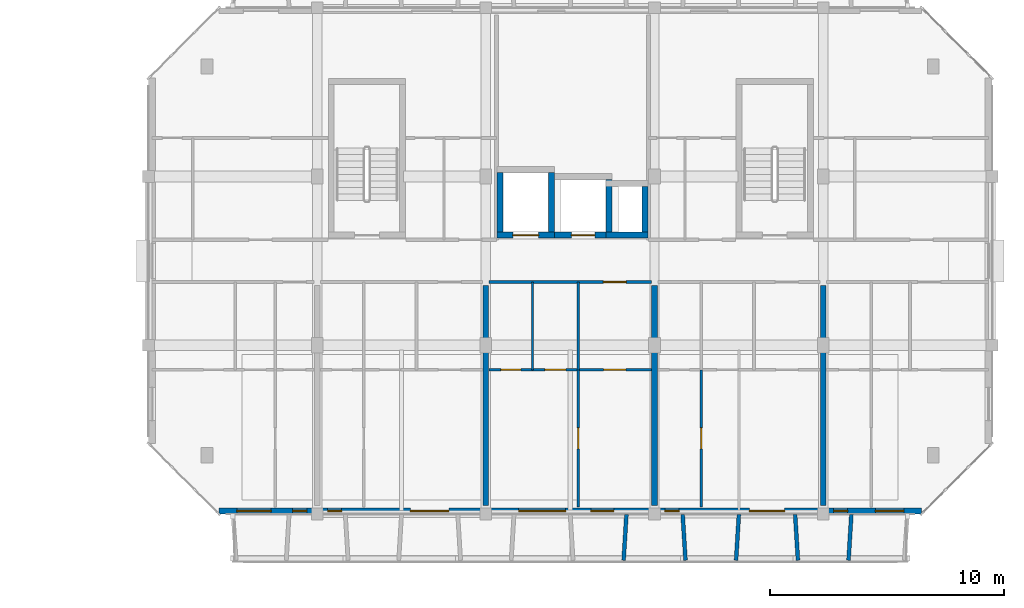
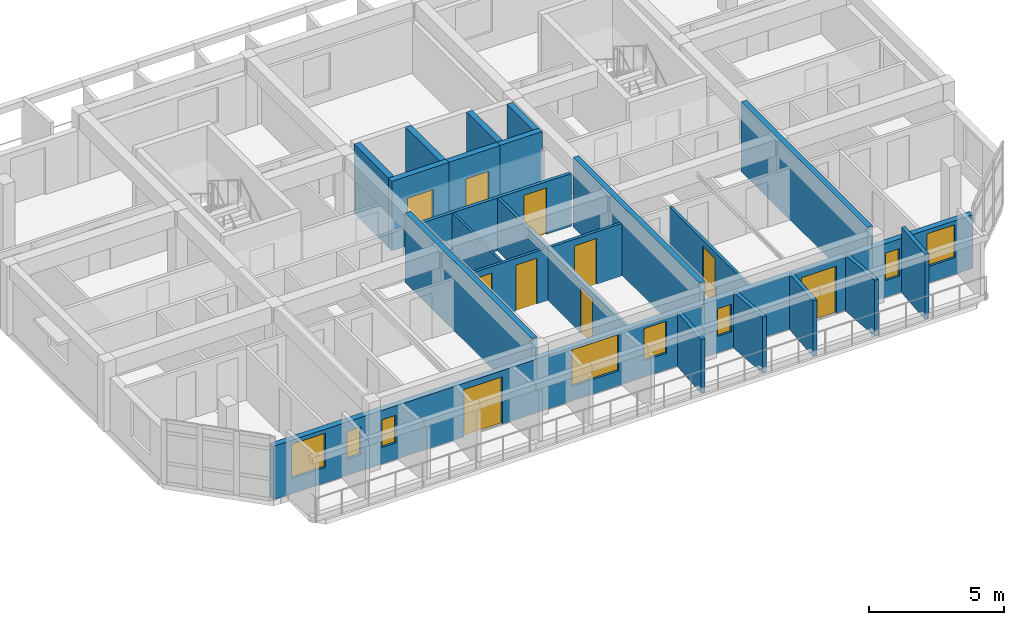
# One storey, part 24 of 45: 22 walls, 10 doors, 8 windows, 18 openings.
"""IFC4 building model written with IfcOpenShell, lengths in metres."""

from ifc_helpers import new_model, si_unit, direction, frame, frame_2d, origin, place, context, subcontext, project, spatial, rectangle, extrude, material, layer, layer_set, type_object, element, fill, save


model = new_model("IFC4")

# Units and contexts
model_context = context("Model", 3, precision=1e-05, world=origin(), true_north=direction((0.0, 1.0)))
body_context = subcontext(model_context, "Body", "Model", "MODEL_VIEW")
ifc_project = project(units=[si_unit("LENGTHUNIT", "METRE"), si_unit("AREAUNIT", "SQUARE_METRE"), si_unit("VOLUMEUNIT", "CUBIC_METRE"), si_unit("PLANEANGLEUNIT", "RADIAN"), si_unit("MASSUNIT", "GRAM", prefix="KILO")], contexts=[model_context])

# Site, building, storey
site_placement = place(None, origin())
site = spatial("IfcSite", under=ifc_project, at=site_placement, CompositionType="ELEMENT")
building_placement = place(site_placement, origin())
building = spatial("IfcBuilding", under=site, at=building_placement, Name="Ochrevale Crest", CompositionType="ELEMENT")
storey_placement = place(building_placement, frame((0.0, 0.0, 18.14990234375)))
storey = spatial("IfcBuildingStorey", under=building, at=storey_placement, Name="L05", CompositionType="ELEMENT", Elevation=18.14990234375)

# Wall, opening, door
ifc_material_1 = material(Name="Gypsum plasterboard", Category="gypsum")
ifc_layer_1 = layer(ifc_material_1, 0.139892578125)
ifc_layer_set_1 = layer_set([ifc_layer_1], Name="Gypsum plasterboard")
wall_type_1 = type_object("IfcWallType", Name="WL-COR-140", PredefinedType="PARTITIONING", material=ifc_layer_set_1)
wall_1_placement = place(storey_placement, frame((144.139892578125, 24.300048828125, 0.0), z_axis=(0.0, 0.0, 1.0), x_axis=(1.0, 0.0, 0.0)))
wall_1 = element("IfcWall", 1, at=wall_1_placement, inside=storey, type_object=wall_type_1, Name="Apartment C-L05-U3 corridor wall", PredefinedType="PARTITIONING", context=body_context, shape_type="SweptSolid", body=[
    extrude(rectangle(XDim=6.920166015625, YDim=0.139892578125, at=frame_2d((3.4599609375, 0.0))), origin(), (0.0, 0.0, 1.0), 2.380126953125),
])
opening_1_placement = place(wall_1_placement, frame((4.8701171875, 0.0, 0.0)))
opening_1 = element("IfcOpeningElement", 2, at=opening_1_placement, cuts=wall_1, Name="Opening FD01", PredefinedType="OPENING", context=body_context, shape_type="SweptSolid", body=[
    extrude(rectangle(XDim=0.97998046875, YDim=2.10009765625, at=frame_2d((0.489990234375, 1.050048828125))), frame((0.0, 0.080078125, 0.0), z_axis=(0.0, -1.0, 0.0), x_axis=(1.0, 0.0, 0.0)), (0.0, 0.0, 1.0), 0.159912109375),
])
ifc_material_2 = material(Name="Solid-core FSC hardwood", Category="wood")
door_type_1 = type_object("IfcDoorType", Name="DR-APT-950", OperationType="NOTDEFINED", PredefinedType="DOOR", material=ifc_material_2)
door_1_placement = place(opening_1_placement, origin())
door_1 = element("IfcDoor", 3, at=door_1_placement, inside=storey, type_object=door_type_1, Name="Apartment C-L05-U3 entrance door", OperationType="SINGLE_SWING_LEFT", OverallHeight=2.10009765625, OverallWidth=0.97998046875, PredefinedType="DOOR", context=body_context, shape_type="SweptSolid", body=[
    extrude(rectangle(XDim=0.97998046875, YDim=2.10009765625, at=frame_2d((0.489990234375, 1.050048828125))), frame((0.0, 0.02490234375, 0.0), z_axis=(0.0, -1.0, 0.0), x_axis=(1.0, 0.0, 0.0)), (0.0, 0.0, 1.0), 0.050048828125),
])
fill(opening_1, door_1)

ifc_material_3 = material(Name="Precast concrete C50/60", Category="concrete")
ifc_layer_2 = layer(ifc_material_3, 0.2548828125)
ifc_layer_set_2 = layer_set([ifc_layer_2], Name="Precast concrete C50/60")
wall_type_2 = type_object("IfcWallType", Name="WL-CORE-255", PredefinedType="SHEAR", material=ifc_layer_set_2)
wall_2_placement = place(storey_placement, frame((144.472412109375, 26.300048828125, 0.0), z_axis=(0.0, 0.0, 1.0), x_axis=(1.0, 0.0, 0.0)))
wall_2 = element("IfcWall", 4, at=wall_2_placement, inside=storey, type_object=wall_type_2, Name="Block C L05 Lift 1 precast shaft shear wall S", PredefinedType="SHEAR", context=body_context, shape_type="SweptSolid", body=[
    extrude(rectangle(XDim=2.455078125, YDim=0.2548828125, at=frame_2d((1.2275390625, 0.0))), origin(), (0.0, 0.0, 1.0), 3.150146484375),
])
opening_2_placement = place(wall_2_placement, frame((0.677490234375, 0.0, 0.0)))
opening_2 = element("IfcOpeningElement", 5, at=opening_2_placement, cuts=wall_2, Name="Opening LD01", PredefinedType="OPENING", context=body_context, shape_type="SweptSolid", body=[
    extrude(rectangle(XDim=1.10009765625, YDim=2.14990234375, at=frame_2d((0.550048828125, 1.074951171875))), frame((0.0, 0.137451171875, 0.0), z_axis=(0.0, -1.0, 0.0), x_axis=(1.0, 0.0, 0.0)), (0.0, 0.0, 1.0), 0.27490234375),
])
door_type_2 = type_object("IfcDoorType", Name="DR-LIFT-1100", OperationType="NOTDEFINED", PredefinedType="DOOR", material=ifc_material_2)
door_2_placement = place(opening_2_placement, origin())
door_2 = element("IfcDoor", 6, at=door_2_placement, inside=storey, type_object=door_type_2, Name="Lift LF-C1 L05 sliding landing door", OperationType="SLIDING_TO_LEFT", OverallHeight=2.14990234375, OverallWidth=1.10009765625, PredefinedType="DOOR", context=body_context, shape_type="SweptSolid", body=[
    extrude(rectangle(XDim=1.10009765625, YDim=2.14990234375, at=frame_2d((0.550048828125, 1.074951171875))), frame((0.0, 0.02490234375, 0.0), z_axis=(0.0, -1.0, 0.0), x_axis=(1.0, 0.0, 0.0)), (0.0, 0.0, 1.0), 0.050048828125),
])
fill(opening_2, door_2)

# Walls
for number, where, z_axis, x_axis, name in (
    (7, (144.60009765625, 26.427490234375, 0.0), (0.0, 0.0, 1.0), (0.0, 1.0, 0.0), "Block C L05 Lift 1 precast shaft shear wall W"),
    (8, (146.800048828125, 26.427490234375, 0.0), (0.0, 0.0, 1.0), (0.0, 1.0, 0.0), "Block C L05 Lift 1 precast shaft shear wall E"),
):
    element("IfcWall", number, at=place(storey_placement, frame(where, z_axis=z_axis, x_axis=x_axis)), inside=storey, type_object=wall_type_2, Name=name, PredefinedType="SHEAR", context=body_context, shape_type="SweptSolid", body=[
        extrude(rectangle(XDim=2.544921875, YDim=0.2548828125, at=frame_2d((1.2724609375, 0.0))), origin(), (0.0, 0.0, 1.0), 3.150146484375),
    ])

# Wall, opening, door
wall_3_placement = place(storey_placement, frame((146.922607421875, 26.300048828125, 0.0), z_axis=(0.0, 0.0, 1.0), x_axis=(1.0, 0.0, 0.0)))
wall_3 = element("IfcWall", 9, at=wall_3_placement, inside=storey, type_object=wall_type_2, Name="Block C L05 Lift 2 precast shaft shear wall S", PredefinedType="SHEAR", context=body_context, shape_type="SweptSolid", body=[
    extrude(rectangle(XDim=2.454833984375, YDim=0.2548828125, at=frame_2d((1.2275390625, 0.0))), origin(), (0.0, 0.0, 1.0), 3.150146484375),
])
opening_3_placement = place(wall_3_placement, frame((0.7275390625, 0.0, 0.0)))
opening_3 = element("IfcOpeningElement", 10, at=opening_3_placement, cuts=wall_3, Name="Opening LD02", PredefinedType="OPENING", context=body_context, shape_type="SweptSolid", body=[
    extrude(rectangle(XDim=1.0, YDim=2.14990234375, at=frame_2d((0.5, 1.074951171875))), frame((0.0, 0.137451171875, 0.0), z_axis=(0.0, -1.0, 0.0), x_axis=(1.0, 0.0, 0.0)), (0.0, 0.0, 1.0), 0.27490234375),
])
door_type_3 = type_object("IfcDoorType", Name="DR-LIFT-1000", OperationType="NOTDEFINED", PredefinedType="DOOR", material=ifc_material_2)
door_3_placement = place(opening_3_placement, origin())
door_3 = element("IfcDoor", 11, at=door_3_placement, inside=storey, type_object=door_type_3, Name="Lift LP-C2 L05 sliding landing door", OperationType="SLIDING_TO_RIGHT", OverallHeight=2.14990234375, OverallWidth=1.0, PredefinedType="DOOR", context=body_context, shape_type="SweptSolid", body=[
    extrude(rectangle(XDim=1.0, YDim=2.14990234375, at=frame_2d((0.5, 1.074951171875))), frame((0.0, 0.02490234375, 0.0), z_axis=(0.0, -1.0, 0.0), x_axis=(1.0, 0.0, 0.0)), (0.0, 0.0, 1.0), 0.050048828125),
])
fill(opening_3, door_3)

# Walls
wall_4_placement = place(storey_placement, frame((149.25, 26.427490234375, 0.0), z_axis=(0.0, 0.0, 1.0), x_axis=(0.0, 1.0, 0.0)))
element("IfcWall", 12, at=wall_4_placement, inside=storey, type_object=wall_type_2, Name="Block C L05 Lift 2 precast shaft shear wall E", PredefinedType="SHEAR", context=body_context, shape_type="SweptSolid", body=[
    extrude(rectangle(XDim=2.2451171875, YDim=0.2548828125, at=frame_2d((1.12255859375, 0.0))), origin(), (0.0, 0.0, 1.0), 3.150146484375),
])
wall_5_placement = place(storey_placement, frame((149.12255859375, 26.300048828125, 0.0), z_axis=(0.0, 0.0, 1.0), x_axis=(1.0, 0.0, 0.0)))
element("IfcWall", 13, at=wall_5_placement, inside=storey, type_object=wall_type_2, Name="Block C L05 services riser shaft core wall S", PredefinedType="SHEAR", context=body_context, shape_type="SweptSolid", body=[
    extrude(rectangle(XDim=1.804931640625, YDim=0.2548828125, at=frame_2d((0.90234375, 0.0))), origin(), (0.0, 0.0, 1.0), 3.150146484375),
])
wall_6_placement = place(storey_placement, frame((150.800048828125, 26.427490234375, 0.0), z_axis=(0.0, 0.0, 1.0), x_axis=(0.0, 1.0, 0.0)))
element("IfcWall", 14, at=wall_6_placement, inside=storey, type_object=wall_type_2, Name="Block C L05 services riser shaft core wall E", PredefinedType="SHEAR", context=body_context, shape_type="SweptSolid", body=[
    extrude(rectangle(XDim=1.945068359375, YDim=0.2548828125, at=frame_2d((0.97265625, 0.0))), origin(), (0.0, 0.0, 1.0), 3.150146484375),
])

# Wall, openings, doors, windows
ifc_material_4 = material(Name="Precast concrete C40/50", Category="concrete")
ifc_layer_3 = layer(ifc_material_4, 0.25)
ifc_layer_set_3 = layer_set([ifc_layer_3], Name="Precast concrete C40/50")
wall_type_3 = type_object("IfcWallType", Name="WL-EXT-GOLD-250", PredefinedType="SOLIDWALL", material=ifc_layer_set_3)
wall_7_placement = place(storey_placement, frame((132.60009765625, 14.52490234375, 0.0), z_axis=(0.0, 0.0, 1.0), x_axis=(1.0, 0.0, 0.0)))
wall_7 = element("IfcWall", 15, at=wall_7_placement, inside=storey, type_object=wall_type_3, Name="Block C L05 external facade wall E1", PredefinedType="SOLIDWALL", context=body_context, shape_type="SweptSolid", body=[
    extrude(rectangle(XDim=30.0, YDim=0.25, at=frame_2d((15.0, 0.0))), origin(), (0.0, 0.0, 1.0), 2.43017578125),
])
opening_4_placement = place(wall_7_placement, frame((9.824951171875, 0.0, 0.0), z_axis=(0.0, 0.0, 1.0), x_axis=(-1.0, 0.0, 0.0)))
opening_4 = element("IfcOpeningElement", 16, at=opening_4_placement, cuts=wall_7, Name="Opening BD02", PredefinedType="OPENING", context=body_context, shape_type="SweptSolid", body=[
    extrude(rectangle(XDim=1.64990234375, YDim=2.14990234375, at=frame_2d((0.824951171875, 1.074951171875))), frame((0.0, 0.135009765625, 0.0), z_axis=(0.0, -1.0, 0.0), x_axis=(1.0, 0.0, 0.0)), (0.0, 0.0, 1.0), 0.27001953125),
])
opening_5_placement = place(wall_7_placement, frame((24.14990234375, 0.0, 0.0), z_axis=(0.0, 0.0, 1.0), x_axis=(-1.0, 0.0, 0.0)))
opening_5 = element("IfcOpeningElement", 17, at=opening_5_placement, cuts=wall_7, Name="Opening BD01", PredefinedType="OPENING", context=body_context, shape_type="SweptSolid", body=[
    extrude(rectangle(XDim=1.5, YDim=2.14990234375, at=frame_2d((0.75, 1.074951171875))), frame((0.0, 0.135009765625, 0.0), z_axis=(0.0, -1.0, 0.0), x_axis=(1.0, 0.0, 0.0)), (0.0, 0.0, 1.0), 0.27001953125),
])
opening_6_placement = place(wall_7_placement, frame((0.77001953125, 0.0, 0.699951171875)))
opening_6 = element("IfcOpeningElement", 18, at=opening_6_placement, cuts=wall_7, Name="Opening W08", PredefinedType="OPENING", context=body_context, shape_type="SweptSolid", body=[
    extrude(rectangle(XDim=1.4599609375, YDim=1.550048828125, at=frame_2d((0.72998046875, 0.77490234375))), frame((0.0, 0.135009765625, 0.0), z_axis=(0.0, -1.0, 0.0), x_axis=(1.0, 0.0, 0.0)), (0.0, 0.0, 1.0), 0.27001953125),
])
opening_7_placement = place(wall_7_placement, frame((3.155029296875, 0.0, 0.75)))
opening_7 = element("IfcOpeningElement", 19, at=opening_7_placement, cuts=wall_7, Name="Opening W01", PredefinedType="OPENING", context=body_context, shape_type="SweptSolid", body=[
    extrude(rectangle(XDim=0.60009765625, YDim=1.25, at=frame_2d((0.300048828125, 0.625))), frame((0.0, 0.135009765625, 0.0), z_axis=(0.0, -1.0, 0.0), x_axis=(1.0, 0.0, 0.0)), (0.0, 0.0, 1.0), 0.27001953125),
])
opening_8_placement = place(wall_7_placement, frame((4.64501953125, 0.0, 0.75)))
opening_8 = element("IfcOpeningElement", 20, at=opening_8_placement, cuts=wall_7, Name="Opening W01", PredefinedType="OPENING", context=body_context, shape_type="SweptSolid", body=[
    extrude(rectangle(XDim=0.60009765625, YDim=1.25, at=frame_2d((0.300048828125, 0.625))), frame((0.0, 0.135009765625, 0.0), z_axis=(0.0, -1.0, 0.0), x_axis=(1.0, 0.0, 0.0)), (0.0, 0.0, 1.0), 0.27001953125),
])
opening_9_placement = place(wall_7_placement, frame((12.800048828125, 0.0, 0.669921875)))
opening_9 = element("IfcOpeningElement", 21, at=opening_9_placement, cuts=wall_7, Name="Opening W12", PredefinedType="OPENING", context=body_context, shape_type="SweptSolid", body=[
    extrude(rectangle(XDim=2.0, YDim=1.64990234375, at=frame_2d((1.0, 0.824951171875))), frame((0.0, 0.135009765625, 0.0), z_axis=(0.0, -1.0, 0.0), x_axis=(1.0, 0.0, 0.0)), (0.0, 0.0, 1.0), 0.27001953125),
])
opening_10_placement = place(wall_7_placement, frame((15.885009765625, 0.0, 0.75)))
opening_10 = element("IfcOpeningElement", 22, at=opening_10_placement, cuts=wall_7, Name="Opening W04", PredefinedType="OPENING", context=body_context, shape_type="SweptSolid", body=[
    extrude(rectangle(XDim=0.97998046875, YDim=1.449951171875, at=frame_2d((0.489990234375, 0.72509765625))), frame((0.0, 0.135009765625, 0.0), z_axis=(0.0, -1.0, 0.0), x_axis=(1.0, 0.0, 0.0)), (0.0, 0.0, 1.0), 0.27001953125),
])
opening_11_placement = place(wall_7_placement, frame((19.044921875, 0.0, 0.75)))
opening_11 = element("IfcOpeningElement", 23, at=opening_11_placement, cuts=wall_7, Name="Opening W01", PredefinedType="OPENING", context=body_context, shape_type="SweptSolid", body=[
    extrude(rectangle(XDim=0.60009765625, YDim=1.25, at=frame_2d((0.300048828125, 0.625))), frame((0.0, 0.135009765625, 0.0), z_axis=(0.0, -1.0, 0.0), x_axis=(1.0, 0.0, 0.0)), (0.0, 0.0, 1.0), 0.27001953125),
])
opening_12_placement = place(wall_7_placement, frame((26.2451171875, 0.0, 0.75)))
opening_12 = element("IfcOpeningElement", 24, at=opening_12_placement, cuts=wall_7, Name="Opening W01", PredefinedType="OPENING", context=body_context, shape_type="SweptSolid", body=[
    extrude(rectangle(XDim=0.60009765625, YDim=1.25, at=frame_2d((0.300048828125, 0.625))), frame((0.0, 0.135009765625, 0.0), z_axis=(0.0, -1.0, 0.0), x_axis=(1.0, 0.0, 0.0)), (0.0, 0.0, 1.0), 0.27001953125),
])
opening_13_placement = place(wall_7_placement, frame((28.02001953125, 0.0, 0.75)))
opening_13 = element("IfcOpeningElement", 25, at=opening_13_placement, cuts=wall_7, Name="Opening W06", PredefinedType="OPENING", context=body_context, shape_type="SweptSolid", body=[
    extrude(rectangle(XDim=1.219970703125, YDim=1.5, at=frame_2d((0.60986328125, 0.75))), frame((0.0, 0.135009765625, 0.0), z_axis=(0.0, -1.0, 0.0), x_axis=(1.0, 0.0, 0.0)), (0.0, 0.0, 1.0), 0.27001953125),
])
ifc_material_5 = material(Name="Anodised aluminium 6063-T5 and toughened glass", Category="aluminium")
door_type_4 = type_object("IfcDoorType", Name="DR-BAL-1500", OperationType="NOTDEFINED", PredefinedType="DOOR", material=ifc_material_5)
door_4_placement = place(opening_5_placement, origin())
door_4 = element("IfcDoor", 26, at=door_4_placement, inside=storey, type_object=door_type_4, Name="Block C L05 balcony door S4", OperationType="SINGLE_SWING_LEFT", OverallHeight=2.14990234375, OverallWidth=1.5, PredefinedType="DOOR", context=body_context, shape_type="SweptSolid", body=[
    extrude(rectangle(XDim=1.5, YDim=2.14990234375, at=frame_2d((0.75, 1.074951171875))), frame((0.0, 0.02490234375, 0.0), z_axis=(0.0, -1.0, 0.0), x_axis=(1.0, 0.0, 0.0)), (0.0, 0.0, 1.0), 0.050048828125),
])
fill(opening_5, door_4)
door_type_5 = type_object("IfcDoorType", Name="DR-BAL-1650", OperationType="NOTDEFINED", PredefinedType="DOOR", material=ifc_material_5)
door_5_placement = place(opening_4_placement, origin())
door_5 = element("IfcDoor", 27, at=door_5_placement, inside=storey, type_object=door_type_5, Name="Block C L05 balcony door S2", OperationType="SINGLE_SWING_RIGHT", OverallHeight=2.14990234375, OverallWidth=1.64990234375, PredefinedType="DOOR", context=body_context, shape_type="SweptSolid", body=[
    extrude(rectangle(XDim=1.64990234375, YDim=2.14990234375, at=frame_2d((0.824951171875, 1.074951171875))), frame((0.0, 0.02490234375, 0.0), z_axis=(0.0, -1.0, 0.0), x_axis=(1.0, 0.0, 0.0)), (0.0, 0.0, 1.0), 0.050048828125),
])
fill(opening_4, door_5)
ifc_material_6 = material(Name="Anodised aluminium 6063-T5 and low-E double glazing", Category="aluminium")
window_type_1 = type_object("IfcWindowType", Name="WIN-W01", PartitioningType="SINGLE_PANEL", PredefinedType="WINDOW", material=ifc_material_6)
window_1_placement = place(opening_7_placement, origin())
window_1 = element("IfcWindow", 28, at=window_1_placement, inside=storey, type_object=window_type_1, Name="Block C L05 Apartment C-L05-U1 One Bedroom Living Room window", OverallHeight=1.25, OverallWidth=0.60009765625, PartitioningType="SINGLE_PANEL", PredefinedType="WINDOW", context=body_context, shape_type="SweptSolid", body=[
    extrude(rectangle(XDim=0.60009765625, YDim=1.25, at=frame_2d((0.300048828125, 0.625))), frame((0.0, 0.030029296875, 0.0), z_axis=(0.0, -1.0, 0.0), x_axis=(1.0, 0.0, 0.0)), (0.0, 0.0, 1.0), 0.06005859375),
])
fill(opening_7, window_1)
window_2_placement = place(opening_8_placement, origin())
window_2 = element("IfcWindow", 29, at=window_2_placement, inside=storey, type_object=window_type_1, Name="Block C L05 Apartment C-L05-U2 Twin Bedroom window", OverallHeight=1.25, OverallWidth=0.60009765625, PartitioningType="SINGLE_PANEL", PredefinedType="WINDOW", context=body_context, shape_type="SweptSolid", body=[
    extrude(rectangle(XDim=0.60009765625, YDim=1.25, at=frame_2d((0.300048828125, 0.625))), frame((0.0, 0.030029296875, 0.0), z_axis=(0.0, -1.0, 0.0), x_axis=(1.0, 0.0, 0.0)), (0.0, 0.0, 1.0), 0.06005859375),
])
fill(opening_8, window_2)
window_3_placement = place(opening_11_placement, origin())
window_3 = element("IfcWindow", 30, at=window_3_placement, inside=storey, type_object=window_type_1, Name="Block C L05 Apartment C-L05-U4 Master Bedroom window", OverallHeight=1.25, OverallWidth=0.60009765625, PartitioningType="SINGLE_PANEL", PredefinedType="WINDOW", context=body_context, shape_type="SweptSolid", body=[
    extrude(rectangle(XDim=0.60009765625, YDim=1.25, at=frame_2d((0.300048828125, 0.625))), frame((0.0, 0.030029296875, 0.0), z_axis=(0.0, -1.0, 0.0), x_axis=(1.0, 0.0, 0.0)), (0.0, 0.0, 1.0), 0.06005859375),
])
fill(opening_11, window_3)
window_4_placement = place(opening_12_placement, origin())
window_4 = element("IfcWindow", 31, at=window_4_placement, inside=storey, type_object=window_type_1, Name="Block C L05 Apartment C-L05-U5 Master Bedroom window", OverallHeight=1.25, OverallWidth=0.60009765625, PartitioningType="SINGLE_PANEL", PredefinedType="WINDOW", context=body_context, shape_type="SweptSolid", body=[
    extrude(rectangle(XDim=0.60009765625, YDim=1.25, at=frame_2d((0.300048828125, 0.625))), frame((0.0, 0.030029296875, 0.0), z_axis=(0.0, -1.0, 0.0), x_axis=(1.0, 0.0, 0.0)), (0.0, 0.0, 1.0), 0.06005859375),
])
fill(opening_12, window_4)
window_type_2 = type_object("IfcWindowType", Name="WIN-W04", PartitioningType="SINGLE_PANEL", PredefinedType="WINDOW", material=ifc_material_6)
window_5_placement = place(opening_10_placement, origin())
window_5 = element("IfcWindow", 32, at=window_5_placement, inside=storey, type_object=window_type_2, Name="Block C L05 Apartment C-L05-U3 Two Bedroom Living Room window", OverallHeight=1.449951171875, OverallWidth=0.97998046875, PartitioningType="SINGLE_PANEL", PredefinedType="WINDOW", context=body_context, shape_type="SweptSolid", body=[
    extrude(rectangle(XDim=0.97998046875, YDim=1.449951171875, at=frame_2d((0.489990234375, 0.72509765625))), frame((0.0, 0.030029296875, 0.0), z_axis=(0.0, -1.0, 0.0), x_axis=(1.0, 0.0, 0.0)), (0.0, 0.0, 1.0), 0.06005859375),
])
fill(opening_10, window_5)
window_type_3 = type_object("IfcWindowType", Name="WIN-W06", PartitioningType="SINGLE_PANEL", PredefinedType="WINDOW", material=ifc_material_6)
window_6_placement = place(opening_13_placement, origin())
window_6 = element("IfcWindow", 33, at=window_6_placement, inside=storey, type_object=window_type_3, Name="Block C L05 Apartment C-L05-U5 One Bedroom Living Room window", OverallHeight=1.5, OverallWidth=1.219970703125, PartitioningType="SINGLE_PANEL", PredefinedType="WINDOW", context=body_context, shape_type="SweptSolid", body=[
    extrude(rectangle(XDim=1.219970703125, YDim=1.5, at=frame_2d((0.60986328125, 0.75))), frame((0.0, 0.030029296875, 0.0), z_axis=(0.0, -1.0, 0.0), x_axis=(1.0, 0.0, 0.0)), (0.0, 0.0, 1.0), 0.06005859375),
])
fill(opening_13, window_6)
window_type_4 = type_object("IfcWindowType", Name="WIN-W08", PartitioningType="SINGLE_PANEL", PredefinedType="WINDOW", material=ifc_material_6)
window_7_placement = place(opening_6_placement, origin())
window_7 = element("IfcWindow", 34, at=window_7_placement, inside=storey, type_object=window_type_4, Name="Block C L05 Apartment C-L05-U1 Master Bedroom window", OverallHeight=1.550048828125, OverallWidth=1.4599609375, PartitioningType="SINGLE_PANEL", PredefinedType="WINDOW", context=body_context, shape_type="SweptSolid", body=[
    extrude(rectangle(XDim=1.4599609375, YDim=1.550048828125, at=frame_2d((0.72998046875, 0.77490234375))), frame((0.0, 0.030029296875, 0.0), z_axis=(0.0, -1.0, 0.0), x_axis=(1.0, 0.0, 0.0)), (0.0, 0.0, 1.0), 0.06005859375),
])
fill(opening_6, window_7)
window_type_5 = type_object("IfcWindowType", Name="WIN-W12", PartitioningType="SINGLE_PANEL", PredefinedType="WINDOW", material=ifc_material_6)
window_8_placement = place(opening_9_placement, origin())
window_8 = element("IfcWindow", 35, at=window_8_placement, inside=storey, type_object=window_type_5, Name="Block C L05 Apartment C-L05-U3 Double Bedroom window", OverallHeight=1.64990234375, OverallWidth=2.0, PartitioningType="SINGLE_PANEL", PredefinedType="WINDOW", context=body_context, shape_type="SweptSolid", body=[
    extrude(rectangle(XDim=2.0, YDim=1.64990234375, at=frame_2d((1.0, 0.824951171875))), frame((0.0, 0.030029296875, 0.0), z_axis=(0.0, -1.0, 0.0), x_axis=(1.0, 0.0, 0.0)), (0.0, 0.0, 1.0), 0.06005859375),
])
fill(opening_9, window_8)

# Walls
ifc_layer_4 = layer(ifc_material_4, 0.1650390625)
ifc_layer_set_4 = layer_set([ifc_layer_4], Name="Precast concrete C40/50")
wall_type_4 = type_object("IfcWallType", Name="WL-HC-CHEEK-165", PredefinedType="ELEMENTEDWALL", material=ifc_layer_set_4)
wall_8_placement = place(storey_placement, frame((150.0, 14.3798828125, 0.0), z_axis=(0.0, 0.0, 1.0), x_axis=(-0.061170732449, -0.998127317276, 0.0)))
element("IfcWall", 36, at=wall_8_placement, inside=storey, type_object=wall_type_4, Name="Block C L05 S precast honeycomb cheek 8", PredefinedType="ELEMENTEDWALL", context=body_context, shape_type="SweptSolid", body=[
    extrude(rectangle(XDim=1.963623046875, YDim=0.1650390625, at=frame_2d((0.98193359375, 0.0))), origin(), (0.0, 0.0, 1.0), 2.4501953125),
])
for number, where, z_axis, x_axis, name in (
    (37, (152.39990234375, 14.3798828125, 0.0), (0.0, 0.0, 1.0), (0.061170732449, -0.998127317276, 0.0), "Block C L05 S precast honeycomb cheek 9"),
    (38, (154.800048828125, 14.3798828125, 0.0), (0.0, 0.0, 1.0), (-0.061170732449, -0.998127317276, 0.0), "Block C L05 S precast honeycomb cheek 10"),
    (39, (157.199951171875, 14.3798828125, 0.0), (0.0, 0.0, 1.0), (0.061170732449, -0.998127317276, 0.0), "Block C L05 S precast honeycomb cheek 11"),
):
    element("IfcWall", number, at=place(storey_placement, frame(where, z_axis=z_axis, x_axis=x_axis)), inside=storey, type_object=wall_type_4, Name=name, PredefinedType="ELEMENTEDWALL", context=body_context, shape_type="SweptSolid", body=[
        extrude(rectangle(XDim=1.963623046875, YDim=0.1650390625, at=frame_2d((0.98193359375, 0.0))), origin(), (0.0, 0.0, 1.0), 2.530029296875),
    ])
wall_9_placement = place(storey_placement, frame((159.60009765625, 14.3798828125, 0.0), z_axis=(0.0, 0.0, 1.0), x_axis=(-0.061170732449, -0.998127317276, 0.0)))
element("IfcWall", 40, at=wall_9_placement, inside=storey, type_object=wall_type_4, Name="Block C L05 S precast honeycomb cheek 12", PredefinedType="ELEMENTEDWALL", context=body_context, shape_type="SweptSolid", body=[
    extrude(rectangle(XDim=1.963623046875, YDim=0.1650390625, at=frame_2d((0.98193359375, 0.0))), origin(), (0.0, 0.0, 1.0), 2.9501953125),
])
ifc_layer_5 = layer(ifc_material_1, 0.1201171875)
ifc_layer_set_5 = layer_set([ifc_layer_5], Name="Gypsum plasterboard")
wall_type_5 = type_object("IfcWallType", Name="WL-PART-120", PredefinedType="PARTITIONING", material=ifc_layer_set_5)
wall_10_placement = place(storey_placement, frame((147.93994140625, 20.550048828125, 0.0), z_axis=(0.0, 0.0, 1.0), x_axis=(0.0, 1.0, 0.0)))
element("IfcWall", 41, at=wall_10_placement, inside=storey, type_object=wall_type_5, Name="Apartment C-L05-U3 kitchen-foyer wall", PredefinedType="PARTITIONING", context=body_context, shape_type="SweptSolid", body=[
    extrude(rectangle(XDim=3.75, YDim=0.1201171875, at=frame_2d((1.875, 0.0))), origin(), (0.0, 0.0, 1.0), 2.375),
])

# Wall, openings, doors
wall_11_placement = place(storey_placement, frame((144.139892578125, 20.550048828125, 0.0), z_axis=(0.0, 0.0, 1.0), x_axis=(1.0, 0.0, 0.0)))
wall_11 = element("IfcWall", 42, at=wall_11_placement, inside=storey, type_object=wall_type_5, Name="Apartment C-L05-U3 central partition", PredefinedType="PARTITIONING", context=body_context, shape_type="SweptSolid", body=[
    extrude(rectangle(XDim=6.920166015625, YDim=0.1201171875, at=frame_2d((3.4599609375, 0.0))), origin(), (0.0, 0.0, 1.0), 2.380126953125),
])
opening_14_placement = place(wall_11_placement, frame((1.35009765625, 0.0, 0.0), z_axis=(0.0, 0.0, 1.0), x_axis=(-1.0, 0.0, 0.0)))
opening_14 = element("IfcOpeningElement", 43, at=opening_14_placement, cuts=wall_11, Name="Opening ID01", PredefinedType="OPENING", context=body_context, shape_type="SweptSolid", body=[
    extrude(rectangle(XDim=0.85009765625, YDim=2.080078125, at=frame_2d((0.425048828125, 1.0400390625))), frame((0.0, 0.070068359375, 0.0), z_axis=(0.0, -1.0, 0.0), x_axis=(1.0, 0.0, 0.0)), (0.0, 0.0, 1.0), 0.14013671875),
])
opening_15_placement = place(wall_11_placement, frame((2.375, 0.0, 0.0)))
opening_15 = element("IfcOpeningElement", 44, at=opening_15_placement, cuts=wall_11, Name="Opening ID02", PredefinedType="OPENING", context=body_context, shape_type="SweptSolid", body=[
    extrude(rectangle(XDim=0.89990234375, YDim=2.080078125, at=frame_2d((0.449951171875, 1.0400390625))), frame((0.0, 0.070068359375, 0.0), z_axis=(0.0, -1.0, 0.0), x_axis=(1.0, 0.0, 0.0)), (0.0, 0.0, 1.0), 0.14013671875),
])
opening_16_placement = place(wall_11_placement, frame((5.8349609375, 0.0, 0.0), z_axis=(0.0, 0.0, 1.0), x_axis=(-1.0, 0.0, 0.0)))
opening_16 = element("IfcOpeningElement", 45, at=opening_16_placement, cuts=wall_11, Name="Opening ID06", PredefinedType="OPENING", context=body_context, shape_type="SweptSolid", body=[
    extrude(rectangle(XDim=0.949951171875, YDim=2.080078125, at=frame_2d((0.47509765625, 1.0400390625))), frame((0.0, 0.070068359375, 0.0), z_axis=(0.0, -1.0, 0.0), x_axis=(1.0, 0.0, 0.0)), (0.0, 0.0, 1.0), 0.14013671875),
])
door_type_6 = type_object("IfcDoorType", Name="DR-INT-900", OperationType="NOTDEFINED", PredefinedType="DOOR", material=ifc_material_2)
door_6_placement = place(opening_15_placement, origin())
door_6 = element("IfcDoor", 46, at=door_6_placement, inside=storey, type_object=door_type_6, Name="Apartment C-L05-U3 Kitchen door", OperationType="SINGLE_SWING_LEFT", OverallHeight=2.080078125, OverallWidth=0.89990234375, PredefinedType="DOOR", context=body_context, shape_type="SweptSolid", body=[
    extrude(rectangle(XDim=0.89990234375, YDim=2.080078125, at=frame_2d((0.449951171875, 1.0400390625))), frame((0.0, 0.02490234375, 0.0), z_axis=(0.0, -1.0, 0.0), x_axis=(1.0, 0.0, 0.0)), (0.0, 0.0, 1.0), 0.050048828125),
])
fill(opening_15, door_6)
door_type_7 = type_object("IfcDoorType", Name="DR-INT-950", OperationType="NOTDEFINED", PredefinedType="DOOR", material=ifc_material_2)
door_7_placement = place(opening_16_placement, origin())
door_7 = element("IfcDoor", 47, at=door_7_placement, inside=storey, type_object=door_type_7, Name="Apartment C-L05-U3 Living Foyer door", OperationType="SINGLE_SWING_RIGHT", OverallHeight=2.080078125, OverallWidth=0.949951171875, PredefinedType="DOOR", context=body_context, shape_type="SweptSolid", body=[
    extrude(rectangle(XDim=0.949951171875, YDim=2.080078125, at=frame_2d((0.47509765625, 1.0400390625))), frame((0.0, 0.02490234375, 0.0), z_axis=(0.0, -1.0, 0.0), x_axis=(1.0, 0.0, 0.0)), (0.0, 0.0, 1.0), 0.050048828125),
])
fill(opening_16, door_7)
door_type_8 = type_object("IfcDoorType", Name="DR-WC-850", OperationType="NOTDEFINED", PredefinedType="DOOR", material=ifc_material_2)
door_8_placement = place(opening_14_placement, origin())
door_8 = element("IfcDoor", 48, at=door_8_placement, inside=storey, type_object=door_type_8, Name="Apartment C-L05-U3 Bathroom door", OperationType="SINGLE_SWING_RIGHT", OverallHeight=2.080078125, OverallWidth=0.85009765625, PredefinedType="DOOR", context=body_context, shape_type="SweptSolid", body=[
    extrude(rectangle(XDim=0.85009765625, YDim=2.080078125, at=frame_2d((0.425048828125, 1.0400390625))), frame((0.0, 0.02490234375, 0.0), z_axis=(0.0, -1.0, 0.0), x_axis=(1.0, 0.0, 0.0)), (0.0, 0.0, 1.0), 0.050048828125),
])
fill(opening_14, door_8)

# Wall, opening, door
wall_12_placement = place(storey_placement, frame((147.93994140625, 14.699951171875, 0.0), z_axis=(0.0, 0.0, 1.0), x_axis=(0.0, 1.0, 0.0)))
wall_12 = element("IfcWall", 49, at=wall_12_placement, inside=storey, type_object=wall_type_5, Name="Apartment C-L05-U3 bedroom partition", PredefinedType="PARTITIONING", context=body_context, shape_type="SweptSolid", body=[
    extrude(rectangle(XDim=5.85009765625, YDim=0.1201171875, at=frame_2d((2.925048828125, 0.0))), origin(), (0.0, 0.0, 1.0), 2.380126953125),
])
opening_17_placement = place(wall_12_placement, frame((2.47509765625, 0.0, 0.0)))
opening_17 = element("IfcOpeningElement", 50, at=opening_17_placement, cuts=wall_12, Name="Opening ID02", PredefinedType="OPENING", context=body_context, shape_type="SweptSolid", body=[
    extrude(rectangle(XDim=0.89990234375, YDim=2.080078125, at=frame_2d((0.449951171875, 1.0400390625))), frame((0.0, 0.070068359375, 0.0), z_axis=(0.0, -1.0, 0.0), x_axis=(1.0, 0.0, 0.0)), (0.0, 0.0, 1.0), 0.14013671875),
])
door_9_placement = place(opening_17_placement, origin())
door_9 = element("IfcDoor", 51, at=door_9_placement, inside=storey, type_object=door_type_6, Name="Apartment C-L05-U3 Double Bedroom door", OperationType="SINGLE_SWING_LEFT", OverallHeight=2.080078125, OverallWidth=0.89990234375, PredefinedType="DOOR", context=body_context, shape_type="SweptSolid", body=[
    extrude(rectangle(XDim=0.89990234375, YDim=2.080078125, at=frame_2d((0.449951171875, 1.0400390625))), frame((0.0, 0.02490234375, 0.0), z_axis=(0.0, -1.0, 0.0), x_axis=(1.0, 0.0, 0.0)), (0.0, 0.0, 1.0), 0.050048828125),
])
fill(opening_17, door_9)

wall_13_placement = place(storey_placement, frame((153.18994140625, 14.699951171875, 0.0), z_axis=(0.0, 0.0, 1.0), x_axis=(0.0, 1.0, 0.0)))
wall_13 = element("IfcWall", 52, at=wall_13_placement, inside=storey, type_object=wall_type_5, Name="Apartment C-L05-U4 bedroom partition", PredefinedType="PARTITIONING", context=body_context, shape_type="SweptSolid", body=[
    extrude(rectangle(XDim=5.85009765625, YDim=0.1201171875, at=frame_2d((2.925048828125, 0.0))), origin(), (0.0, 0.0, 1.0), 2.380126953125),
])
opening_18_placement = place(wall_13_placement, frame((3.375, 0.0, 0.0), z_axis=(0.0, 0.0, 1.0), x_axis=(-1.0, 0.0, 0.0)))
opening_18 = element("IfcOpeningElement", 53, at=opening_18_placement, cuts=wall_13, Name="Opening ID02", PredefinedType="OPENING", context=body_context, shape_type="SweptSolid", body=[
    extrude(rectangle(XDim=0.89990234375, YDim=2.080078125, at=frame_2d((0.449951171875, 1.0400390625))), frame((0.0, 0.070068359375, 0.0), z_axis=(0.0, -1.0, 0.0), x_axis=(1.0, 0.0, 0.0)), (0.0, 0.0, 1.0), 0.14013671875),
])
door_10_placement = place(opening_18_placement, origin())
door_10 = element("IfcDoor", 54, at=door_10_placement, inside=storey, type_object=door_type_6, Name="Apartment C-L05-U4 Master Bedroom door", OperationType="SINGLE_SWING_RIGHT", OverallHeight=2.080078125, OverallWidth=0.89990234375, PredefinedType="DOOR", context=body_context, shape_type="SweptSolid", body=[
    extrude(rectangle(XDim=0.89990234375, YDim=2.080078125, at=frame_2d((0.449951171875, 1.0400390625))), frame((0.0, 0.02490234375, 0.0), z_axis=(0.0, -1.0, 0.0), x_axis=(1.0, 0.0, 0.0)), (0.0, 0.0, 1.0), 0.050048828125),
])
fill(opening_18, door_10)

# Walls
ifc_layer_6 = layer(ifc_material_3, 0.239990234375)
ifc_layer_set_6 = layer_set([ifc_layer_6], Name="Precast concrete C50/60")
wall_type_6 = type_object("IfcWallType", Name="WL-SHEAR-240", PredefinedType="SHEAR", material=ifc_layer_set_6)
for number, where, z_axis, x_axis, name in (
    (55, (144.0, 14.75, 0.0), (0.0, 0.0, 1.0), (0.0, 1.0, 0.0), "Block C L05 load-bearing precast cross-wall X=144.0"),
    (56, (151.199951171875, 14.75, 0.0), (0.0, 0.0, 1.0), (0.0, 1.0, 0.0), "Block C L05 load-bearing precast cross-wall X=151.2"),
    (57, (158.39990234375, 14.75, 0.0), (0.0, 0.0, 1.0), (0.0, 1.0, 0.0), "Block C L05 load-bearing precast cross-wall X=158.4"),
):
    element("IfcWall", number, at=place(storey_placement, frame(where, z_axis=z_axis, x_axis=x_axis)), inside=storey, type_object=wall_type_6, Name=name, PredefinedType="SHEAR", context=body_context, shape_type="SweptSolid", body=[
        extrude(rectangle(XDim=9.39990234375, YDim=0.239990234375, at=frame_2d((4.699951171875, 0.0))), origin(), (0.0, 0.0, 1.0), 3.150146484375),
    ])
ifc_layer_7 = layer(ifc_material_1, 0.10009765625)
ifc_layer_set_7 = layer_set([ifc_layer_7], Name="Gypsum plasterboard")
wall_type_7 = type_object("IfcWallType", Name="WL-WET-100", PredefinedType="PARTITIONING", material=ifc_layer_set_7)
wall_14_placement = place(storey_placement, frame((145.989990234375, 20.550048828125, 0.0), z_axis=(0.0, 0.0, 1.0), x_axis=(0.0, 1.0, 0.0)))
element("IfcWall", 58, at=wall_14_placement, inside=storey, type_object=wall_type_7, Name="Apartment C-L05-U3 bath-kitchen wall", PredefinedType="PARTITIONING", context=body_context, shape_type="SweptSolid", body=[
    extrude(rectangle(XDim=3.75, YDim=0.10009765625, at=frame_2d((1.875, 0.0))), origin(), (0.0, 0.0, 1.0), 2.375),
])

save(model, "model.ifc")
